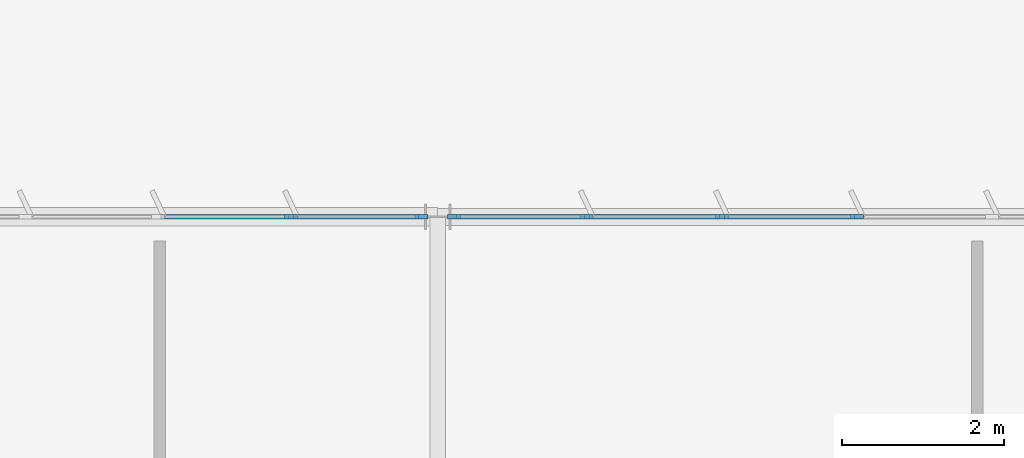
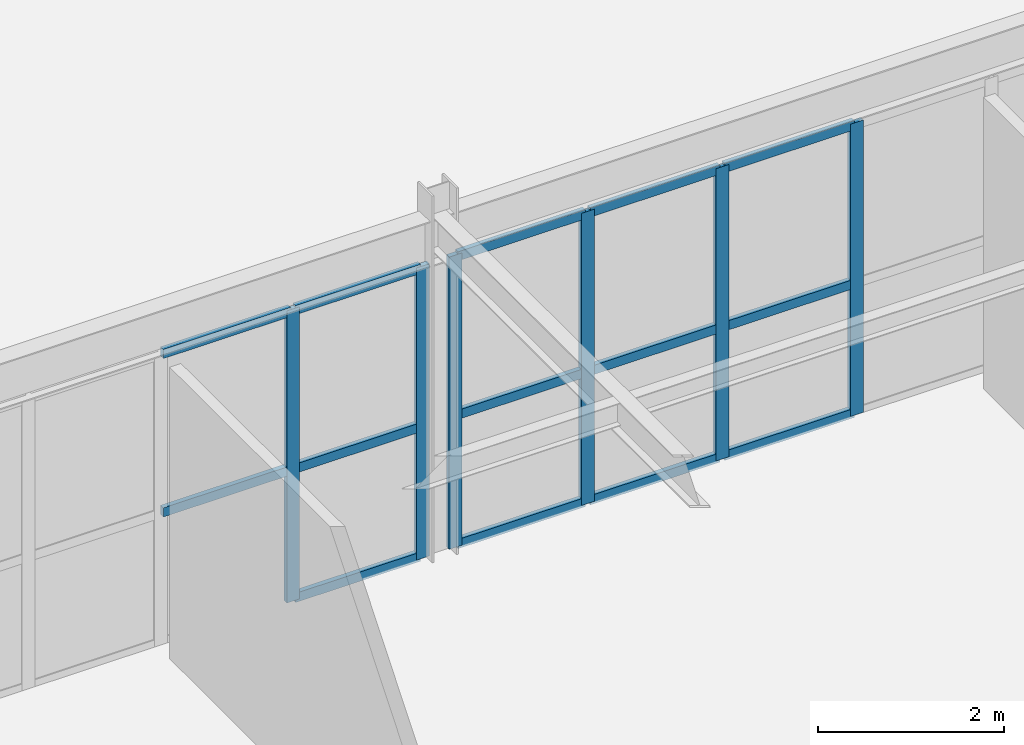
# One storey, part 97 of 199: 20 members, 2 elements without a shape of their own.
"""IFC4 building model written with IfcOpenShell, lengths in metres."""

from ifc_helpers import new_model, si_unit, direction, frame, origin, origin_2d, place, context, subcontext, project, spatial, rectangle, extrude, material, layer, layer_set, material_profile, profile_set, type_object, element, aggregate, save


model = new_model("IFC4")

# Units and contexts
model_context = context("Model", 3, precision=1e-05, world=origin(), true_north=direction((0.0, 1.0)))
body_context = subcontext(model_context, "Body", "Model", "MODEL_VIEW")
ifc_project = project(units=[si_unit("LENGTHUNIT", "METRE"), si_unit("AREAUNIT", "SQUARE_METRE"), si_unit("VOLUMEUNIT", "CUBIC_METRE"), si_unit("PLANEANGLEUNIT", "RADIAN"), si_unit("MASSUNIT", "GRAM", prefix="KILO")], contexts=[model_context])

# Site, building, storey
site_placement = place(None, origin())
site = spatial("IfcSite", under=ifc_project, at=site_placement, CompositionType="ELEMENT")
building_placement = place(site_placement, origin())
building = spatial("IfcBuilding", under=site, at=building_placement, Name="Tarnwether General Hospital", CompositionType="ELEMENT")
storey_placement = place(building_placement, origin())
storey = spatial("IfcBuildingStorey", under=building, at=storey_placement, Name="L00", CompositionType="ELEMENT", Elevation=0.0)

# Curtain wall, members
ifc_material_1 = material(Name="Anodised aluminium", Category="aluminium")
ifc_layer = layer(ifc_material_1, 0.159912109375)
ifc_layer_set = layer_set([ifc_layer], Name="Anodised aluminium")
curtain_wall_type = type_object("IfcCurtainWallType", Name="CW-20", PredefinedType="NOTDEFINED", material=ifc_layer_set)
curtain_wall_1_placement = place(storey_placement, origin())
curtain_wall_1 = element("IfcCurtainWall", 1, at=curtain_wall_1_placement, inside=storey, type_object=curtain_wall_type, Name="Curtain Wall CWG-L00-1684_456-0288", PredefinedType="NOTDEFINED")
ifc_material_2 = material(Name="Anodised aluminium", Category="aluminium")
ifc_material_profile_1 = material_profile(ifc_material_2, rectangle(XDim=0.06005859375, YDim=0.159912109375, at=origin_2d()), Name="ALU-MUL-60x160")
ifc_profile_set_1 = profile_set([ifc_material_profile_1], Name="Anodised aluminium")
member_type_1 = type_object("IfcMemberType", Name="CW-ML1", PredefinedType="MULLION", material=ifc_profile_set_1)
member_1_placement = place(storey_placement, frame((178.189453125, 45.60009765625, 0.0), z_axis=(0.0, 0.0, 1.0), x_axis=(0.0, 1.0, 0.0)))
member_1 = element("IfcMember", 2, at=member_1_placement, type_object=member_type_1, Name="CW-20 mullion 7", PredefinedType="MULLION", context=body_context, shape_type="SweptSolid", body=[
    extrude(rectangle(XDim=0.06005859375, YDim=0.159912109375, at=origin_2d()), origin(), (0.0, 0.0, 1.0), 3.827880859375),
])
member_2_placement = place(storey_placement, frame((179.798095703125, 45.60009765625, 0.0), z_axis=(0.0, 0.0, 1.0), x_axis=(0.0, 1.0, 0.0)))
member_2 = element("IfcMember", 3, at=member_2_placement, type_object=member_type_1, Name="CW-20 mullion 8", PredefinedType="MULLION", context=body_context, shape_type="SweptSolid", body=[
    extrude(rectangle(XDim=0.06005859375, YDim=0.159912109375, at=origin_2d()), origin(), (0.0, 0.0, 1.0), 3.827880859375),
])

curtain_wall_2_placement = place(storey_placement, origin())
curtain_wall_2 = element("IfcCurtainWall", 4, at=curtain_wall_2_placement, inside=storey, type_object=curtain_wall_type, Name="Curtain Wall CWG-L00-1802_456-0289", PredefinedType="NOTDEFINED")
member_3_placement = place(storey_placement, frame((180.201904296875, 45.60009765625, 0.0), z_axis=(0.0, 0.0, 1.0), x_axis=(0.0, 1.0, 0.0)))
member_3 = element("IfcMember", 5, at=member_3_placement, type_object=member_type_1, Name="CW-20 mullion 1", PredefinedType="MULLION", context=body_context, shape_type="SweptSolid", body=[
    extrude(rectangle(XDim=0.06005859375, YDim=0.159912109375, at=origin_2d()), origin(), (0.0, 0.0, 1.0), 3.827880859375),
])
member_4_placement = place(storey_placement, frame((181.839111328125, 45.60009765625, 0.0), z_axis=(0.0, 0.0, 1.0), x_axis=(0.0, 1.0, 0.0)))
member_4 = element("IfcMember", 6, at=member_4_placement, type_object=member_type_1, Name="CW-20 mullion 2", PredefinedType="MULLION", context=body_context, shape_type="SweptSolid", body=[
    extrude(rectangle(XDim=0.06005859375, YDim=0.159912109375, at=origin_2d()), origin(), (0.0, 0.0, 1.0), 3.827880859375),
])
member_5_placement = place(storey_placement, frame((183.50634765625, 45.60009765625, 0.0), z_axis=(0.0, 0.0, 1.0), x_axis=(0.0, 1.0, 0.0)))
member_5 = element("IfcMember", 7, at=member_5_placement, type_object=member_type_1, Name="CW-20 mullion 3", PredefinedType="MULLION", context=body_context, shape_type="SweptSolid", body=[
    extrude(rectangle(XDim=0.06005859375, YDim=0.159912109375, at=origin_2d()), origin(), (0.0, 0.0, 1.0), 3.827880859375),
])
member_6_placement = place(storey_placement, frame((185.17333984375, 45.60009765625, 0.0), z_axis=(0.0, 0.0, 1.0), x_axis=(0.0, 1.0, 0.0)))
member_6 = element("IfcMember", 8, at=member_6_placement, type_object=member_type_1, Name="CW-20 mullion 4", PredefinedType="MULLION", context=body_context, shape_type="SweptSolid", body=[
    extrude(rectangle(XDim=0.06005859375, YDim=0.159912109375, at=origin_2d()), origin(), (0.0, 0.0, 1.0), 3.827880859375),
])

# Member
ifc_material_3 = material(Name="Anodised aluminium", Category="aluminium")
ifc_material_profile_2 = material_profile(ifc_material_3, rectangle(XDim=0.06005859375, YDim=0.1201171875, at=origin_2d()), Name="ALU-TRN-60x120")
ifc_profile_set_2 = profile_set([ifc_material_profile_2], Name="Anodised aluminium")
member_type_2 = type_object("IfcMemberType", Name="CW-TR1", PredefinedType="USERDEFINED", material=ifc_profile_set_2)
member_7_placement = place(storey_placement, frame((176.580810546875, 45.60009765625, 1.72265625), z_axis=(1.0, 0.0, 0.0), x_axis=(0.0, 1.0, 0.0)))
member_7 = element("IfcMember", 9, at=member_7_placement, type_object=member_type_2, Name="CW-20 transom 6.2", ObjectType="TRANSOM", PredefinedType="USERDEFINED", context=body_context, shape_type="SweptSolid", body=[
    extrude(rectangle(XDim=0.06005859375, YDim=0.1201171875, at=origin_2d()), origin(), (0.0, 0.0, 1.0), 1.57861328125),
])

member_8_placement = place(storey_placement, frame((176.580810546875, 45.60009765625, 3.798095703125), z_axis=(1.0, 0.0, 0.0), x_axis=(0.0, 1.0, 0.0)))
member_8 = element("IfcMember", 10, at=member_8_placement, type_object=member_type_2, Name="CW-20 transom 6.3", ObjectType="TRANSOM", PredefinedType="USERDEFINED", context=body_context, shape_type="SweptSolid", body=[
    extrude(rectangle(XDim=0.06005859375, YDim=0.1201171875, at=origin_2d()), origin(), (0.0, 0.0, 1.0), 1.57861328125),
])

member_9_placement = place(storey_placement, frame((178.219482421875, 45.60009765625, 0.030029296875), z_axis=(1.0, 0.0, 0.0), x_axis=(0.0, 1.0, 0.0)))
member_9 = element("IfcMember", 11, at=member_9_placement, type_object=member_type_2, Name="CW-20 transom 7.1", ObjectType="TRANSOM", PredefinedType="USERDEFINED", context=body_context, shape_type="SweptSolid", body=[
    extrude(rectangle(XDim=0.06005859375, YDim=0.1201171875, at=origin_2d()), origin(), (0.0, 0.0, 1.0), 1.548583984375),
])

member_10_placement = place(storey_placement, frame((178.219482421875, 45.60009765625, 1.72265625), z_axis=(1.0, 0.0, 0.0), x_axis=(0.0, 1.0, 0.0)))
member_10 = element("IfcMember", 12, at=member_10_placement, type_object=member_type_2, Name="CW-20 transom 7.2", ObjectType="TRANSOM", PredefinedType="USERDEFINED", context=body_context, shape_type="SweptSolid", body=[
    extrude(rectangle(XDim=0.06005859375, YDim=0.1201171875, at=origin_2d()), origin(), (0.0, 0.0, 1.0), 1.548583984375),
])

member_11_placement = place(storey_placement, frame((178.219482421875, 45.60009765625, 3.798095703125), z_axis=(1.0, 0.0, 0.0), x_axis=(0.0, 1.0, 0.0)))
member_11 = element("IfcMember", 13, at=member_11_placement, type_object=member_type_2, Name="CW-20 transom 7.3", ObjectType="TRANSOM", PredefinedType="USERDEFINED", context=body_context, shape_type="SweptSolid", body=[
    extrude(rectangle(XDim=0.06005859375, YDim=0.1201171875, at=origin_2d()), origin(), (0.0, 0.0, 1.0), 1.548583984375),
])

aggregate(curtain_wall_1, [member_1, member_2, member_7, member_8, member_9, member_10, member_11])

member_12_placement = place(storey_placement, frame((180.23193359375, 45.60009765625, 0.030029296875), z_axis=(1.0, 0.0, 0.0), x_axis=(0.0, 1.0, 0.0)))
member_12 = element("IfcMember", 14, at=member_12_placement, type_object=member_type_2, Name="CW-20 transom 1.1", ObjectType="TRANSOM", PredefinedType="USERDEFINED", context=body_context, shape_type="SweptSolid", body=[
    extrude(rectangle(XDim=0.06005859375, YDim=0.1201171875, at=origin_2d()), origin(), (0.0, 0.0, 1.0), 1.5771484375),
])

member_13_placement = place(storey_placement, frame((180.23193359375, 45.60009765625, 1.72265625), z_axis=(1.0, 0.0, 0.0), x_axis=(0.0, 1.0, 0.0)))
member_13 = element("IfcMember", 15, at=member_13_placement, type_object=member_type_2, Name="CW-20 transom 1.2", ObjectType="TRANSOM", PredefinedType="USERDEFINED", context=body_context, shape_type="SweptSolid", body=[
    extrude(rectangle(XDim=0.06005859375, YDim=0.1201171875, at=origin_2d()), origin(), (0.0, 0.0, 1.0), 1.5771484375),
])

member_14_placement = place(storey_placement, frame((180.23193359375, 45.60009765625, 3.798095703125), z_axis=(1.0, 0.0, 0.0), x_axis=(0.0, 1.0, 0.0)))
member_14 = element("IfcMember", 16, at=member_14_placement, type_object=member_type_2, Name="CW-20 transom 1.3", ObjectType="TRANSOM", PredefinedType="USERDEFINED", context=body_context, shape_type="SweptSolid", body=[
    extrude(rectangle(XDim=0.06005859375, YDim=0.1201171875, at=origin_2d()), origin(), (0.0, 0.0, 1.0), 1.5771484375),
])

member_15_placement = place(storey_placement, frame((181.869140625, 45.60009765625, 0.030029296875), z_axis=(1.0, 0.0, 0.0), x_axis=(0.0, 1.0, 0.0)))
member_15 = element("IfcMember", 17, at=member_15_placement, type_object=member_type_2, Name="CW-20 transom 2.1", ObjectType="TRANSOM", PredefinedType="USERDEFINED", context=body_context, shape_type="SweptSolid", body=[
    extrude(rectangle(XDim=0.06005859375, YDim=0.1201171875, at=origin_2d()), origin(), (0.0, 0.0, 1.0), 1.607177734375),
])

member_16_placement = place(storey_placement, frame((181.869140625, 45.60009765625, 1.72265625), z_axis=(1.0, 0.0, 0.0), x_axis=(0.0, 1.0, 0.0)))
member_16 = element("IfcMember", 18, at=member_16_placement, type_object=member_type_2, Name="CW-20 transom 2.2", ObjectType="TRANSOM", PredefinedType="USERDEFINED", context=body_context, shape_type="SweptSolid", body=[
    extrude(rectangle(XDim=0.06005859375, YDim=0.1201171875, at=origin_2d()), origin(), (0.0, 0.0, 1.0), 1.607177734375),
])

member_17_placement = place(storey_placement, frame((181.869140625, 45.60009765625, 3.798095703125), z_axis=(1.0, 0.0, 0.0), x_axis=(0.0, 1.0, 0.0)))
member_17 = element("IfcMember", 19, at=member_17_placement, type_object=member_type_2, Name="CW-20 transom 2.3", ObjectType="TRANSOM", PredefinedType="USERDEFINED", context=body_context, shape_type="SweptSolid", body=[
    extrude(rectangle(XDim=0.06005859375, YDim=0.1201171875, at=origin_2d()), origin(), (0.0, 0.0, 1.0), 1.607177734375),
])

member_18_placement = place(storey_placement, frame((183.536376953125, 45.60009765625, 0.030029296875), z_axis=(1.0, 0.0, 0.0), x_axis=(0.0, 1.0, 0.0)))
member_18 = element("IfcMember", 20, at=member_18_placement, type_object=member_type_2, Name="CW-20 transom 3.1", ObjectType="TRANSOM", PredefinedType="USERDEFINED", context=body_context, shape_type="SweptSolid", body=[
    extrude(rectangle(XDim=0.06005859375, YDim=0.1201171875, at=origin_2d()), origin(), (0.0, 0.0, 1.0), 1.60693359375),
])

member_19_placement = place(storey_placement, frame((183.536376953125, 45.60009765625, 1.72265625), z_axis=(1.0, 0.0, 0.0), x_axis=(0.0, 1.0, 0.0)))
member_19 = element("IfcMember", 21, at=member_19_placement, type_object=member_type_2, Name="CW-20 transom 3.2", ObjectType="TRANSOM", PredefinedType="USERDEFINED", context=body_context, shape_type="SweptSolid", body=[
    extrude(rectangle(XDim=0.06005859375, YDim=0.1201171875, at=origin_2d()), origin(), (0.0, 0.0, 1.0), 1.60693359375),
])

member_20_placement = place(storey_placement, frame((183.536376953125, 45.60009765625, 3.798095703125), z_axis=(1.0, 0.0, 0.0), x_axis=(0.0, 1.0, 0.0)))
member_20 = element("IfcMember", 22, at=member_20_placement, type_object=member_type_2, Name="CW-20 transom 3.3", ObjectType="TRANSOM", PredefinedType="USERDEFINED", context=body_context, shape_type="SweptSolid", body=[
    extrude(rectangle(XDim=0.06005859375, YDim=0.1201171875, at=origin_2d()), origin(), (0.0, 0.0, 1.0), 1.60693359375),
])

aggregate(curtain_wall_2, [member_3, member_4, member_5, member_6, member_12, member_13, member_14, member_15, member_16, member_17, member_18, member_19, member_20])

save(model, "model.ifc")
